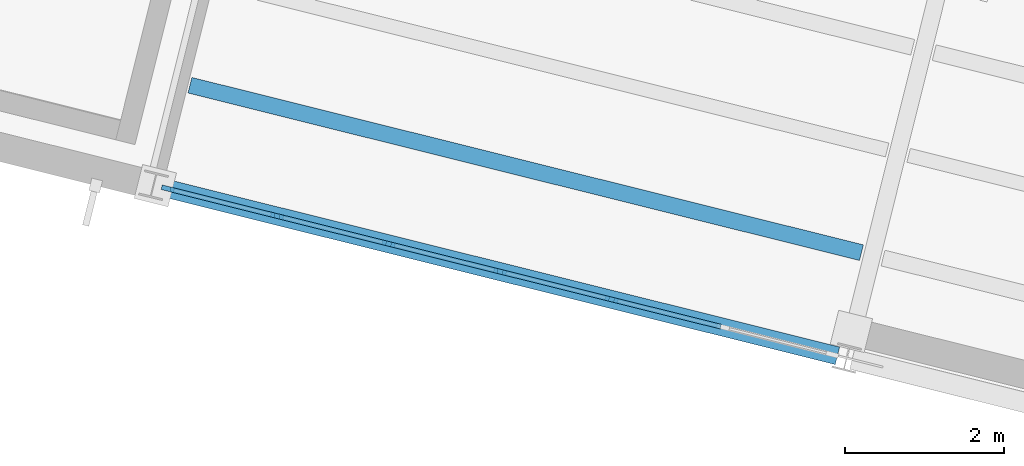
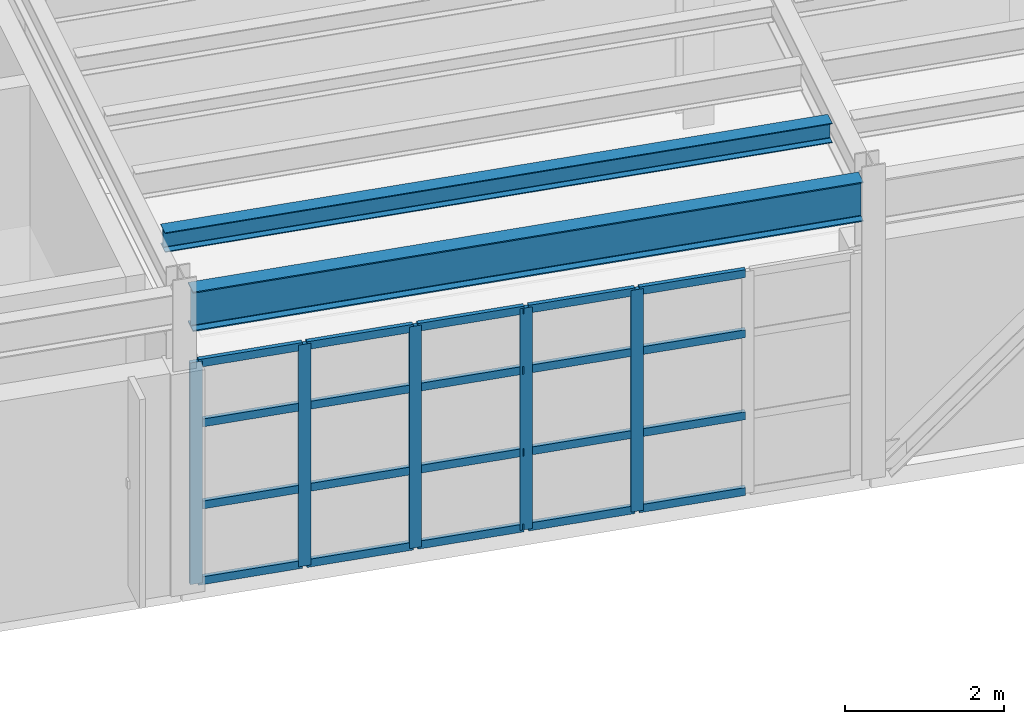
# One storey, part 22 of 102: 25 members, 2 beams, 1 element without a shape of its own.
"""IFC4 building model written with IfcOpenShell, lengths in metres."""

from ifc_helpers import new_model, si_unit, direction, frame, origin, origin_2d, place, context, subcontext, project, spatial, rectangle, i_section, extrude, material, layer, layer_set, material_profile, profile_set, type_object, element, aggregate, save


model = new_model("IFC4")

# Units and contexts
model_context = context("Model", 3, precision=1e-05, world=origin(), true_north=direction((0.0, 1.0)))
body_context = subcontext(model_context, "Body", "Model", "MODEL_VIEW")
ifc_project = project(units=[si_unit("LENGTHUNIT", "METRE"), si_unit("AREAUNIT", "SQUARE_METRE"), si_unit("VOLUMEUNIT", "CUBIC_METRE"), si_unit("PLANEANGLEUNIT", "RADIAN"), si_unit("MASSUNIT", "GRAM", prefix="KILO")], contexts=[model_context])

# Site, building, storey
site_placement = place(None, origin())
site = spatial("IfcSite", under=ifc_project, at=site_placement, CompositionType="ELEMENT")
building_placement = place(site_placement, origin())
building = spatial("IfcBuilding", under=site, at=building_placement, Name="Vireo Bluff Cable Station", CompositionType="ELEMENT")
storey_placement = place(building_placement, frame((0.0, 0.0, 9.60009765625)))
storey = spatial("IfcBuildingStorey", under=building, at=storey_placement, Name="L02", CompositionType="ELEMENT", Elevation=9.60009765625)

# Curtain wall, members
ifc_material_1 = material(Name="Anodized Aluminium 6063-T6", Category="aluminium")
ifc_layer = layer(ifc_material_1, 0.179931640625, Name="Anodized Aluminium 6063-T6")
ifc_layer_set = layer_set([ifc_layer], Name="Anodized Aluminium 6063-T6")
curtain_wall_type = type_object("IfcCurtainWallType", Name="CW-UNIT-1500", PredefinedType="USERDEFINED", material=ifc_layer_set)
curtain_wall_placement = place(storey_placement, origin())
curtain_wall = element("IfcCurtainWall", 1, at=curtain_wall_placement, inside=storey, type_object=curtain_wall_type, Name="V1 L02 south curtain wall CW-010", ObjectType="UNITISED CURTAIN WALL", PredefinedType="USERDEFINED")
ifc_material_profile_1 = material_profile(ifc_material_1, rectangle(XDim=0.06005859375, YDim=0.159912109375, at=origin_2d()), Name="ALU-M-60X160")
ifc_profile_set_1 = profile_set([ifc_material_profile_1], Name="Anodized Aluminium 6063-T6")
member_type_1 = type_object("IfcMemberType", Name="CWM-03", PredefinedType="MULLION", material=ifc_profile_set_1)
member_1_placement = place(storey_placement, frame((68.50390625, 34.3837890625, 0.0), z_axis=(0.0, 0.0, 1.0), x_axis=(-0.241921839952, -0.970295740151, 0.0)))
member_1 = element("IfcMember", 2, at=member_1_placement, type_object=member_type_1, Name="CW-010 mullion 3", PredefinedType="MULLION", context=body_context, shape_type="SweptSolid", body=[
    extrude(rectangle(XDim=0.06005859375, YDim=0.159912109375, at=origin_2d()), origin(), (0.0, 0.0, 1.0), 3.39990234375),
])
member_2_placement = place(storey_placement, frame((67.098876953125, 34.734130859375, 0.0), z_axis=(0.0, 0.0, 1.0), x_axis=(-0.241921839952, -0.970295740151, 0.0)))
member_2 = element("IfcMember", 3, at=member_2_placement, type_object=member_type_1, Name="CW-010 mullion 4", PredefinedType="MULLION", context=body_context, shape_type="SweptSolid", body=[
    extrude(rectangle(XDim=0.06005859375, YDim=0.159912109375, at=origin_2d()), origin(), (0.0, 0.0, 1.0), 3.39990234375),
])
member_3_placement = place(storey_placement, frame((65.694091796875, 35.084228515625, 0.0), z_axis=(0.0, 0.0, 1.0), x_axis=(-0.241921839952, -0.970295740151, 0.0)))
member_3 = element("IfcMember", 4, at=member_3_placement, type_object=member_type_1, Name="CW-010 mullion 5", PredefinedType="MULLION", context=body_context, shape_type="SweptSolid", body=[
    extrude(rectangle(XDim=0.06005859375, YDim=0.159912109375, at=origin_2d()), origin(), (0.0, 0.0, 1.0), 3.39990234375),
])
member_4_placement = place(storey_placement, frame((64.289306640625, 35.4345703125, 0.0), z_axis=(0.0, 0.0, 1.0), x_axis=(-0.241921839952, -0.970295740151, 0.0)))
member_4 = element("IfcMember", 5, at=member_4_placement, type_object=member_type_1, Name="CW-010 mullion 6", PredefinedType="MULLION", context=body_context, shape_type="SweptSolid", body=[
    extrude(rectangle(XDim=0.06005859375, YDim=0.159912109375, at=origin_2d()), origin(), (0.0, 0.0, 1.0), 3.39990234375),
])
member_5_placement = place(storey_placement, frame((62.91357421875, 35.777587890625, 0.0), z_axis=(0.0, 0.0, 1.0), x_axis=(-0.241921839952, -0.970295740151, 0.0)))
member_5 = element("IfcMember", 6, at=member_5_placement, type_object=member_type_1, Name="CW-010 mullion 7", PredefinedType="MULLION", context=body_context, shape_type="SweptSolid", body=[
    extrude(rectangle(XDim=0.06005859375, YDim=0.159912109375, at=origin_2d()), origin(), (0.0, 0.0, 1.0), 3.39990234375),
])
ifc_material_profile_2 = material_profile(ifc_material_1, rectangle(XDim=0.06005859375, YDim=0.1201171875, at=origin_2d()), Name="ALU-T-60X120")
ifc_profile_set_2 = profile_set([ifc_material_profile_2], Name="Anodized Aluminium 6063-T6")
member_type_2 = type_object("IfcMemberType", Name="CWT-03", PredefinedType="USERDEFINED", material=ifc_profile_set_2)
member_6_placement = place(storey_placement, frame((69.879638671875, 34.040771484375, 0.02978515625), z_axis=(-0.970307834467, 0.24187332712, 0.0), x_axis=(-0.24187332712, -0.970307834467, 0.0)))
member_6 = element("IfcMember", 7, at=member_6_placement, type_object=member_type_2, Name="CW-010 transom 2.1", ObjectType="TRANSOM", PredefinedType="USERDEFINED", context=body_context, shape_type="SweptSolid", body=[
    extrude(rectangle(XDim=0.06005859375, YDim=0.1201171875, at=origin_2d()), origin(), (0.0, 0.0, 1.0), 1.387939453125),
])
member_7_placement = place(storey_placement, frame((69.879638671875, 34.040771484375, 1.18994140625), z_axis=(-0.970307834467, 0.24187332712, 0.0), x_axis=(-0.24187332712, -0.970307834467, 0.0)))
member_7 = element("IfcMember", 8, at=member_7_placement, type_object=member_type_2, Name="CW-010 transom 2.2", ObjectType="TRANSOM", PredefinedType="USERDEFINED", context=body_context, shape_type="SweptSolid", body=[
    extrude(rectangle(XDim=0.06005859375, YDim=0.1201171875, at=origin_2d()), origin(), (0.0, 0.0, 1.0), 1.387939453125),
])
member_8_placement = place(storey_placement, frame((69.879638671875, 34.040771484375, 2.447998046875), z_axis=(-0.970307834467, 0.24187332712, 0.0), x_axis=(-0.24187332712, -0.970307834467, 0.0)))
member_8 = element("IfcMember", 9, at=member_8_placement, type_object=member_type_2, Name="CW-010 transom 2.3", ObjectType="TRANSOM", PredefinedType="USERDEFINED", context=body_context, shape_type="SweptSolid", body=[
    extrude(rectangle(XDim=0.06005859375, YDim=0.1201171875, at=origin_2d()), origin(), (0.0, 0.0, 1.0), 1.387939453125),
])
member_9_placement = place(storey_placement, frame((69.879638671875, 34.040771484375, 3.369873046875), z_axis=(-0.970307834467, 0.24187332712, 0.0), x_axis=(-0.24187332712, -0.970307834467, 0.0)))
member_9 = element("IfcMember", 10, at=member_9_placement, type_object=member_type_2, Name="CW-010 transom 2.4", ObjectType="TRANSOM", PredefinedType="USERDEFINED", context=body_context, shape_type="SweptSolid", body=[
    extrude(rectangle(XDim=0.06005859375, YDim=0.1201171875, at=origin_2d()), origin(), (0.0, 0.0, 1.0), 1.387939453125),
])
member_10_placement = place(storey_placement, frame((68.474609375, 34.39111328125, 0.02978515625), z_axis=(-0.970297540745, 0.241914618046, 0.0), x_axis=(-0.241914618046, -0.970297540745, 0.0)))
member_10 = element("IfcMember", 11, at=member_10_placement, type_object=member_type_2, Name="CW-010 transom 3.1", ObjectType="TRANSOM", PredefinedType="USERDEFINED", context=body_context, shape_type="SweptSolid", body=[
    extrude(rectangle(XDim=0.06005859375, YDim=0.1201171875, at=origin_2d()), origin(), (0.0, 0.0, 1.0), 1.3876953125),
])
member_11_placement = place(storey_placement, frame((68.474609375, 34.39111328125, 1.18994140625), z_axis=(-0.970297540745, 0.241914618046, 0.0), x_axis=(-0.241914618046, -0.970297540745, 0.0)))
member_11 = element("IfcMember", 12, at=member_11_placement, type_object=member_type_2, Name="CW-010 transom 3.2", ObjectType="TRANSOM", PredefinedType="USERDEFINED", context=body_context, shape_type="SweptSolid", body=[
    extrude(rectangle(XDim=0.06005859375, YDim=0.1201171875, at=origin_2d()), origin(), (0.0, 0.0, 1.0), 1.3876953125),
])
member_12_placement = place(storey_placement, frame((68.474609375, 34.39111328125, 2.447998046875), z_axis=(-0.970297540745, 0.241914618046, 0.0), x_axis=(-0.241914618046, -0.970297540745, 0.0)))
member_12 = element("IfcMember", 13, at=member_12_placement, type_object=member_type_2, Name="CW-010 transom 3.3", ObjectType="TRANSOM", PredefinedType="USERDEFINED", context=body_context, shape_type="SweptSolid", body=[
    extrude(rectangle(XDim=0.06005859375, YDim=0.1201171875, at=origin_2d()), origin(), (0.0, 0.0, 1.0), 1.3876953125),
])
member_13_placement = place(storey_placement, frame((68.474609375, 34.39111328125, 3.369873046875), z_axis=(-0.970297540745, 0.241914618046, 0.0), x_axis=(-0.241914618046, -0.970297540745, 0.0)))
member_13 = element("IfcMember", 14, at=member_13_placement, type_object=member_type_2, Name="CW-010 transom 3.4", ObjectType="TRANSOM", PredefinedType="USERDEFINED", context=body_context, shape_type="SweptSolid", body=[
    extrude(rectangle(XDim=0.06005859375, YDim=0.1201171875, at=origin_2d()), origin(), (0.0, 0.0, 1.0), 1.3876953125),
])
member_14_placement = place(storey_placement, frame((67.06982421875, 34.7412109375, 0.02978515625), z_axis=(-0.97025623061, 0.242080249015, 0.0), x_axis=(-0.242080249015, -0.97025623061, 0.0)))
member_14 = element("IfcMember", 15, at=member_14_placement, type_object=member_type_2, Name="CW-010 transom 4.1", ObjectType="TRANSOM", PredefinedType="USERDEFINED", context=body_context, shape_type="SweptSolid", body=[
    extrude(rectangle(XDim=0.06005859375, YDim=0.1201171875, at=origin_2d()), origin(), (0.0, 0.0, 1.0), 1.3876953125),
])
member_15_placement = place(storey_placement, frame((67.06982421875, 34.7412109375, 1.18994140625), z_axis=(-0.97025623061, 0.242080249015, 0.0), x_axis=(-0.242080249015, -0.97025623061, 0.0)))
member_15 = element("IfcMember", 16, at=member_15_placement, type_object=member_type_2, Name="CW-010 transom 4.2", ObjectType="TRANSOM", PredefinedType="USERDEFINED", context=body_context, shape_type="SweptSolid", body=[
    extrude(rectangle(XDim=0.06005859375, YDim=0.1201171875, at=origin_2d()), origin(), (0.0, 0.0, 1.0), 1.3876953125),
])
member_16_placement = place(storey_placement, frame((67.06982421875, 34.7412109375, 2.447998046875), z_axis=(-0.97025623061, 0.242080249015, 0.0), x_axis=(-0.242080249015, -0.97025623061, 0.0)))
member_16 = element("IfcMember", 17, at=member_16_placement, type_object=member_type_2, Name="CW-010 transom 4.3", ObjectType="TRANSOM", PredefinedType="USERDEFINED", context=body_context, shape_type="SweptSolid", body=[
    extrude(rectangle(XDim=0.06005859375, YDim=0.1201171875, at=origin_2d()), origin(), (0.0, 0.0, 1.0), 1.3876953125),
])
member_17_placement = place(storey_placement, frame((67.06982421875, 34.7412109375, 3.369873046875), z_axis=(-0.97025623061, 0.242080249015, 0.0), x_axis=(-0.242080249015, -0.97025623061, 0.0)))
member_17 = element("IfcMember", 18, at=member_17_placement, type_object=member_type_2, Name="CW-010 transom 4.4", ObjectType="TRANSOM", PredefinedType="USERDEFINED", context=body_context, shape_type="SweptSolid", body=[
    extrude(rectangle(XDim=0.06005859375, YDim=0.1201171875, at=origin_2d()), origin(), (0.0, 0.0, 1.0), 1.3876953125),
])
member_18_placement = place(storey_placement, frame((65.6650390625, 35.091552734375, 0.02978515625), z_axis=(-0.970307834467, 0.24187332712, 0.0), x_axis=(-0.24187332712, -0.970307834467, 0.0)))
member_18 = element("IfcMember", 19, at=member_18_placement, type_object=member_type_2, Name="CW-010 transom 5.1", ObjectType="TRANSOM", PredefinedType="USERDEFINED", context=body_context, shape_type="SweptSolid", body=[
    extrude(rectangle(XDim=0.06005859375, YDim=0.1201171875, at=origin_2d()), origin(), (0.0, 0.0, 1.0), 1.387939453125),
])
member_19_placement = place(storey_placement, frame((65.6650390625, 35.091552734375, 1.18994140625), z_axis=(-0.970307834467, 0.24187332712, 0.0), x_axis=(-0.24187332712, -0.970307834467, 0.0)))
member_19 = element("IfcMember", 20, at=member_19_placement, type_object=member_type_2, Name="CW-010 transom 5.2", ObjectType="TRANSOM", PredefinedType="USERDEFINED", context=body_context, shape_type="SweptSolid", body=[
    extrude(rectangle(XDim=0.06005859375, YDim=0.1201171875, at=origin_2d()), origin(), (0.0, 0.0, 1.0), 1.387939453125),
])
member_20_placement = place(storey_placement, frame((65.6650390625, 35.091552734375, 2.447998046875), z_axis=(-0.970307834467, 0.24187332712, 0.0), x_axis=(-0.24187332712, -0.970307834467, 0.0)))
member_20 = element("IfcMember", 21, at=member_20_placement, type_object=member_type_2, Name="CW-010 transom 5.3", ObjectType="TRANSOM", PredefinedType="USERDEFINED", context=body_context, shape_type="SweptSolid", body=[
    extrude(rectangle(XDim=0.06005859375, YDim=0.1201171875, at=origin_2d()), origin(), (0.0, 0.0, 1.0), 1.387939453125),
])
member_21_placement = place(storey_placement, frame((65.6650390625, 35.091552734375, 3.369873046875), z_axis=(-0.970307834467, 0.24187332712, 0.0), x_axis=(-0.24187332712, -0.970307834467, 0.0)))
member_21 = element("IfcMember", 22, at=member_21_placement, type_object=member_type_2, Name="CW-010 transom 5.4", ObjectType="TRANSOM", PredefinedType="USERDEFINED", context=body_context, shape_type="SweptSolid", body=[
    extrude(rectangle(XDim=0.06005859375, YDim=0.1201171875, at=origin_2d()), origin(), (0.0, 0.0, 1.0), 1.387939453125),
])
member_22_placement = place(storey_placement, frame((64.26025390625, 35.44189453125, 0.02978515625), z_axis=(-0.97032202274, 0.241816401813, 0.0), x_axis=(-0.241816401813, -0.97032202274, 0.0)))
member_22 = element("IfcMember", 23, at=member_22_placement, type_object=member_type_2, Name="CW-010 transom 6.1", ObjectType="TRANSOM", PredefinedType="USERDEFINED", context=body_context, shape_type="SweptSolid", body=[
    extrude(rectangle(XDim=0.06005859375, YDim=0.1201171875, at=origin_2d()), origin(), (0.0, 0.0, 1.0), 1.35791015625),
])
member_23_placement = place(storey_placement, frame((64.26025390625, 35.44189453125, 1.18994140625), z_axis=(-0.97032202274, 0.241816401813, 0.0), x_axis=(-0.241816401813, -0.97032202274, 0.0)))
member_23 = element("IfcMember", 24, at=member_23_placement, type_object=member_type_2, Name="CW-010 transom 6.2", ObjectType="TRANSOM", PredefinedType="USERDEFINED", context=body_context, shape_type="SweptSolid", body=[
    extrude(rectangle(XDim=0.06005859375, YDim=0.1201171875, at=origin_2d()), origin(), (0.0, 0.0, 1.0), 1.35791015625),
])
member_24_placement = place(storey_placement, frame((64.26025390625, 35.44189453125, 2.447998046875), z_axis=(-0.97032202274, 0.241816401813, 0.0), x_axis=(-0.241816401813, -0.97032202274, 0.0)))
member_24 = element("IfcMember", 25, at=member_24_placement, type_object=member_type_2, Name="CW-010 transom 6.3", ObjectType="TRANSOM", PredefinedType="USERDEFINED", context=body_context, shape_type="SweptSolid", body=[
    extrude(rectangle(XDim=0.06005859375, YDim=0.1201171875, at=origin_2d()), origin(), (0.0, 0.0, 1.0), 1.35791015625),
])
member_25_placement = place(storey_placement, frame((64.26025390625, 35.44189453125, 3.369873046875), z_axis=(-0.97032202274, 0.241816401813, 0.0), x_axis=(-0.241816401813, -0.97032202274, 0.0)))
member_25 = element("IfcMember", 26, at=member_25_placement, type_object=member_type_2, Name="CW-010 transom 6.4", ObjectType="TRANSOM", PredefinedType="USERDEFINED", context=body_context, shape_type="SweptSolid", body=[
    extrude(rectangle(XDim=0.06005859375, YDim=0.1201171875, at=origin_2d()), origin(), (0.0, 0.0, 1.0), 1.35791015625),
])
aggregate(curtain_wall, [member_1, member_2, member_3, member_4, member_5, member_6, member_7, member_8, member_9, member_10, member_11, member_12, member_13, member_14, member_15, member_16, member_17, member_18, member_19, member_20, member_21, member_22, member_23, member_24, member_25])

# Beams
ifc_material_2 = material(Name="Steel ASTM A992 Gr. 50", Category="steel")
ifc_material_profile_3 = material_profile(ifc_material_2, i_section(OverallWidth=0.202880859375, OverallDepth=0.302978515625, WebThickness=0.007568359375, FlangeThickness=0.01318359375, FilletRadius=0.010009765625, at=origin_2d()), Name="W12X40")
ifc_profile_set_3 = profile_set([ifc_material_profile_3], Name="Steel ASTM A992 Gr. 50")
beam_type_1 = type_object("IfcBeamType", Name="JST-W12X40", PredefinedType="JOIST", material=ifc_profile_set_3)
beam_1_placement = place(storey_placement, frame((63.191162109375, 37.08251953125, 4.388427734375), z_axis=(0.970293828661, -0.24192950639, 0.0), x_axis=(0.24192950639, 0.970293828661, 0.0)))
element("IfcBeam", 27, at=beam_1_placement, inside=storey, type_object=beam_type_1, Name="V1 L02 composite joist 200", PredefinedType="JOIST", context=body_context, shape_type="SweptSolid", body=[
    extrude(i_section(OverallWidth=0.202880859375, OverallDepth=0.302978515625, WebThickness=0.007568359375, FlangeThickness=0.01318359375, FilletRadius=0.010009765625, at=origin_2d()), origin(), (0.0, 0.0, 1.0), 8.719970703125),
])
ifc_material_profile_4 = material_profile(ifc_material_2, i_section(OverallWidth=0.22802734375, OverallDepth=0.60693359375, WebThickness=0.01123046875, FlangeThickness=0.017333984375, FilletRadius=0.012939453125, at=origin_2d()), Name="W24X76")
ifc_profile_set_4 = profile_set([ifc_material_profile_4], Name="Steel ASTM A992 Gr. 50")
beam_type_2 = type_object("IfcBeamType", Name="SPN-W24X76", PredefinedType="SPANDREL", material=ifc_profile_set_4)
beam_2_placement = place(storey_placement, frame((62.84912109375, 35.793701171875, 4.236328125), z_axis=(0.970291502693, -0.241938834838, 0.0), x_axis=(0.241938834838, 0.970291502693, 0.0)))
element("IfcBeam", 28, at=beam_2_placement, inside=storey, type_object=beam_type_2, Name="V1 L02 spandrel 146", PredefinedType="SPANDREL", context=body_context, shape_type="SweptSolid", body=[
    extrude(i_section(OverallWidth=0.22802734375, OverallDepth=0.60693359375, WebThickness=0.01123046875, FlangeThickness=0.017333984375, FilletRadius=0.012939453125, at=origin_2d()), origin(), (0.0, 0.0, 1.0), 8.760009765625),
])

save(model, "model.ifc")
